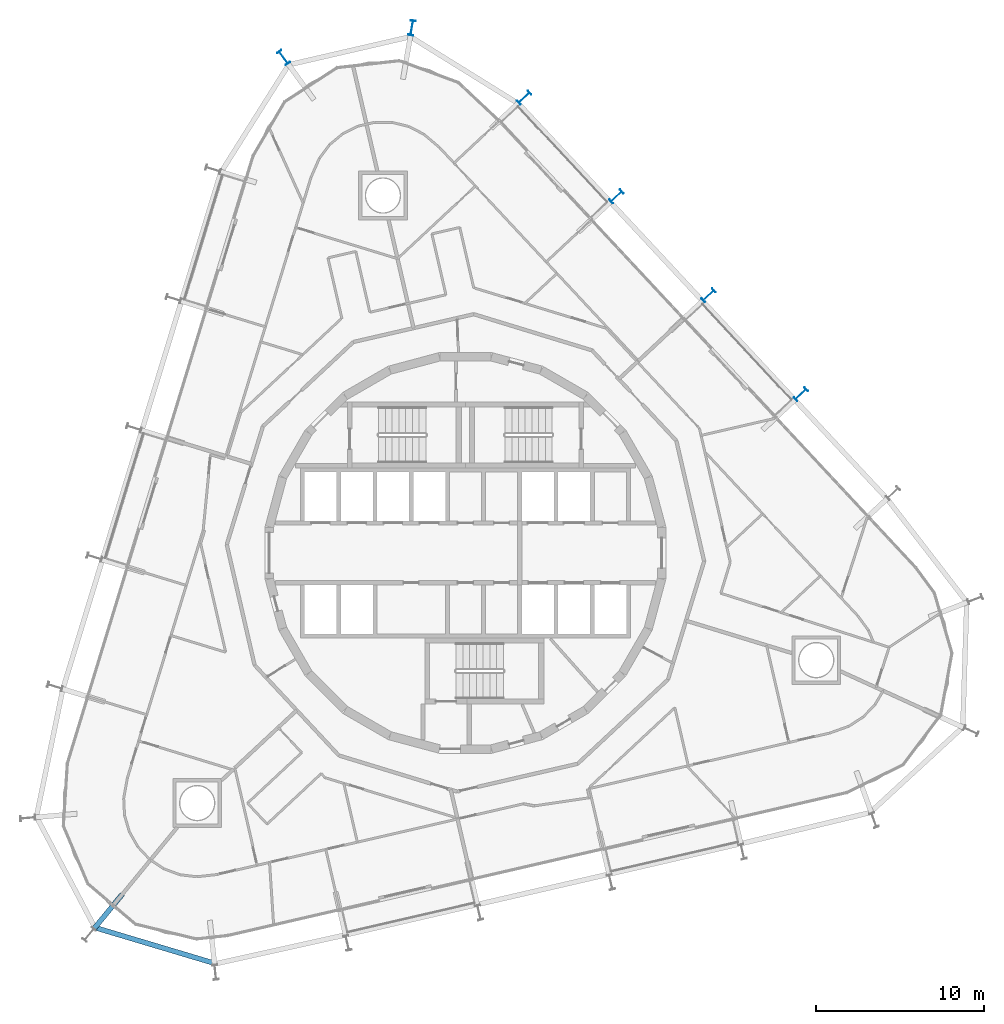
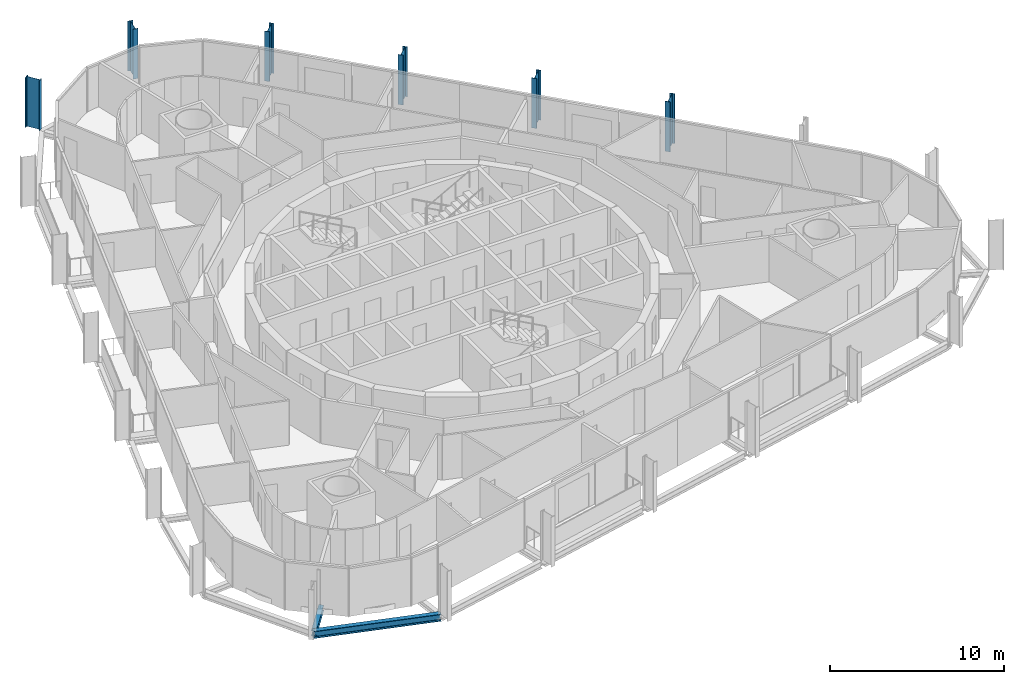
# One storey, part 2 of 18: 6 columns, 2 beams.
"""IFC4 building model written with IfcOpenShell, lengths in metres."""

from ifc_helpers import new_model, si_unit, direction, frame, origin, origin_2d, place, context, subcontext, project, spatial, i_section, extrude, material, material_profile, profile_set, type_object, element, save


model = new_model("IFC4")

# Units and contexts
model_context = context("Model", 3, precision=1e-05, world=origin(), true_north=direction((0.0, 1.0)))
body_context = subcontext(model_context, "Body", "Model", "MODEL_VIEW")
ifc_project = project(units=[si_unit("LENGTHUNIT", "METRE"), si_unit("AREAUNIT", "SQUARE_METRE"), si_unit("VOLUMEUNIT", "CUBIC_METRE"), si_unit("PLANEANGLEUNIT", "RADIAN"), si_unit("MASSUNIT", "GRAM", prefix="KILO")], contexts=[model_context])

# Site, building, storey
site_placement = place(None, origin())
site = spatial("IfcSite", under=ifc_project, at=site_placement, CompositionType="ELEMENT")
building_placement = place(site_placement, origin())
building = spatial("IfcBuilding", under=site, at=building_placement, Name="Spindle Arch Residences", CompositionType="ELEMENT")
storey_placement = place(building_placement, frame((0.0, 0.0, 120.39990234375)))
storey = spatial("IfcBuildingStorey", under=building, at=storey_placement, Name="L29", CompositionType="ELEMENT", Elevation=120.39990234375)

# Columns
ifc_material_1 = material(Name="Steel S460ML, intumescent coating R 240", Category="steel")
ifc_material_profile_1 = material_profile(ifc_material_1, i_section(OverallWidth=0.300048828125, OverallDepth=0.89990234375, WebThickness=0.0185546875, FlangeThickness=0.034912109375, FilletRadius=0.030029296875, at=origin_2d()), Name="HEB 900")
ifc_profile_set_1 = profile_set([ifc_material_profile_1], Name="Steel S460ML, intumescent coating R 240")
column_type = type_object("IfcColumnType", Name="Exoskeleton post HEB 900", PredefinedType="COLUMN", material=ifc_profile_set_1)
for number, where, z_axis, x_axis, name in (
    (1, (19.9150390625, 9.42236328125, -0.3798828125), (0.0, 0.0, 1.0), (0.68199801865, -0.731354019992, 0.0), "Exoskeleton post 7"),
    (2, (14.439208984375, 15.29443359375, -0.3798828125), (0.0, 0.0, 1.0), (0.68199801865, -0.731354019992, 0.0), "Exoskeleton post 8"),
    (3, (8.963134765625, 21.16650390625, -0.3798828125), (0.0, 0.0, 1.0), (0.68199801865, -0.731354019992, 0.0), "Exoskeleton post 9"),
    (4, (3.4873046875, 27.038818359375, -0.3798828125), (0.0, 0.0, 1.0), (0.68199801865, -0.731354019992, 0.0), "Exoskeleton post 10"),
    (5, (-3.185302734375, 31.177001953125, -0.3798828125), (0.0, 0.0, 1.0), (0.985484585876, -0.169764928655, 0.0), "Exoskeleton post 11"),
    (6, (-10.80419921875, 29.41796875, -0.3798828125), (0.0, 0.0, 1.0), (0.811328097008, 0.584591069898, 0.0), "Exoskeleton post 12"),
):
    element("IfcColumn", number, at=place(storey_placement, frame(where, z_axis=z_axis, x_axis=x_axis)), inside=storey, type_object=column_type, Name=name, PredefinedType="COLUMN", context=body_context, shape_type="SweptSolid", body=[
        extrude(i_section(OverallWidth=0.300048828125, OverallDepth=0.89990234375, WebThickness=0.0185546875, FlangeThickness=0.034912109375, FilletRadius=0.030029296875, at=origin_2d()), origin(), (0.0, 0.0, 1.0), 3.5),
    ])

# Beams
ifc_material_2 = material(Name="Steel S460ML, intumescent coating R 120", Category="steel")
ifc_material_profile_2 = material_profile(ifc_material_2, i_section(OverallWidth=0.300048828125, OverallDepth=0.5, WebThickness=0.014404296875, FlangeThickness=0.028076171875, FilletRadius=0.027099609375, at=origin_2d()), Name="HEB 500")
ifc_profile_set_2 = profile_set([ifc_material_profile_2], Name="Steel S460ML, intumescent coating R 120")
beam_type_1 = type_object("IfcBeamType", Name="Exoskeleton edge beam HEB 500", PredefinedType="BEAM", material=ifc_profile_set_2)
beam_1_placement = place(storey_placement, frame((-22.077392578125, -22.2265625, -0.6298828125), z_axis=(0.95815808572, -0.286239554865, 0.0), x_axis=(0.286239554865, 0.95815808572, 0.0)))
element("IfcBeam", 7, at=beam_1_placement, inside=storey, type_object=beam_type_1, Name="Exoskeleton edge beam 19", PredefinedType="BEAM", context=body_context, shape_type="SweptSolid", body=[
    extrude(i_section(OverallWidth=0.300048828125, OverallDepth=0.5, WebThickness=0.014404296875, FlangeThickness=0.028076171875, FilletRadius=0.027099609375, at=origin_2d()), origin(), (0.0, 0.0, 1.0), 7.5595703125),
])
ifc_material_3 = material(Name="Steel S460ML, intumescent coating R 120", Category="steel")
ifc_material_profile_3 = material_profile(ifc_material_3, i_section(OverallWidth=0.300048828125, OverallDepth=0.389892578125, WebThickness=0.010986328125, FlangeThickness=0.01904296875, FilletRadius=0.027099609375, at=origin_2d()), Name="HEA 400")
ifc_profile_set_3 = profile_set([ifc_material_profile_3], Name="Steel S460ML, intumescent coating R 120")
beam_type_2 = type_object("IfcBeamType", Name="Floor outrigger HEA 400", PredefinedType="BEAM", material=ifc_profile_set_3)
beam_2_placement = place(storey_placement, frame((-22.056396484375, -22.31103515625, -0.574951171875), z_axis=(0.634821942797, 0.772658463323, 0.0), x_axis=(-0.772658463323, 0.634821942797, 0.0)))
element("IfcBeam", 8, at=beam_2_placement, inside=storey, type_object=beam_type_2, Name="Floor outrigger 19", PredefinedType="BEAM", context=body_context, shape_type="SweptSolid", body=[
    extrude(i_section(OverallWidth=0.300048828125, OverallDepth=0.389892578125, WebThickness=0.010986328125, FlangeThickness=0.01904296875, FilletRadius=0.027099609375, at=origin_2d()), origin(), (0.0, 0.0, 1.0), 2.649658203125),
])

save(model, "model.ifc")
